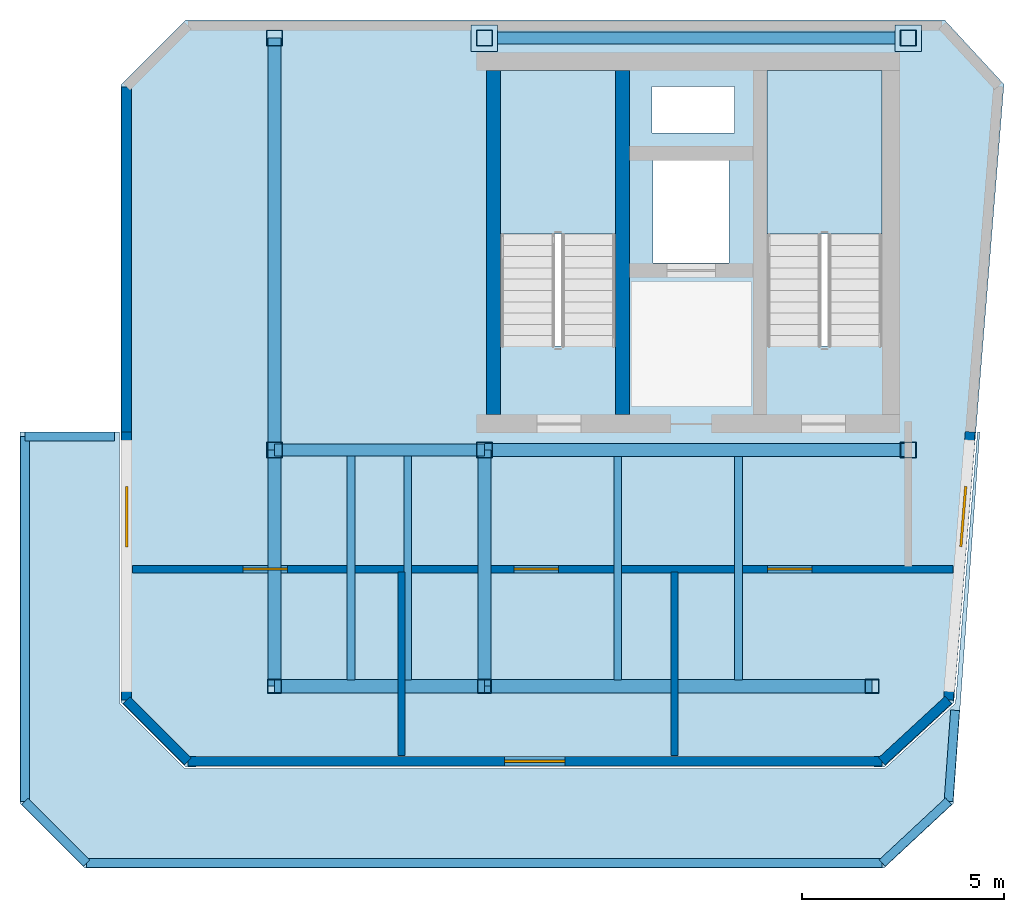
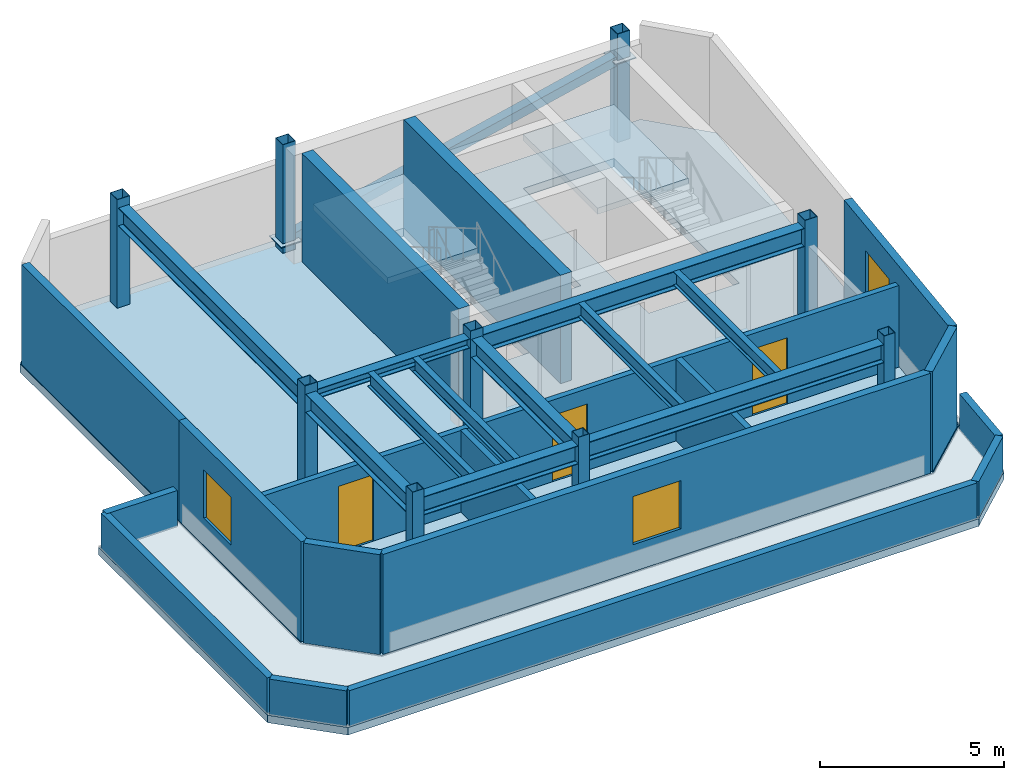
# One storey, part 1 of 3: 17 walls, 11 beams, 9 columns, 4 slabs, 3 doors, 3 windows, 2 plates, 1 member, 6 openings, 2 elements without a shape of their own.
"""IFC4 building model written with IfcOpenShell, lengths in metres."""

from ifc_helpers import new_model, si_unit, direction, frame, frame_2d, origin, origin_2d, place, context, subcontext, project, spatial, polyline, rectangle, hollow_rectangle, i_section, outline, extrude, material, layer, layer_set, material_profile, profile_set, type_object, element, fill, aggregate, save


model = new_model("IFC4")

# Units and contexts
model_context = context("Model", 3, precision=1e-05, world=origin(), true_north=direction((0.0, 1.0)))
body_context = subcontext(model_context, "Body", "Model", "MODEL_VIEW")
ifc_project = project(units=[si_unit("LENGTHUNIT", "METRE"), si_unit("AREAUNIT", "SQUARE_METRE"), si_unit("VOLUMEUNIT", "CUBIC_METRE"), si_unit("PLANEANGLEUNIT", "RADIAN"), si_unit("MASSUNIT", "GRAM", prefix="KILO")], contexts=[model_context])

# Site, building, storey
site_placement = place(None, origin())
site = spatial("IfcSite", under=ifc_project, at=site_placement, CompositionType="ELEMENT")
building_placement = place(site_placement, origin())
building = spatial("IfcBuilding", under=site, at=building_placement, Name="Kravanh Interchange Tower", CompositionType="ELEMENT")
storey_placement = place(building_placement, frame((0.0, 0.0, 322.800048828125)))
storey = spatial("IfcBuildingStorey", under=building, at=storey_placement, Name="L80", CompositionType="ELEMENT", Elevation=322.800048828125)

# Columns
ifc_material_1 = material(Name="Structural Steel S355", Category="steel")
ifc_material_profile_1 = material_profile(ifc_material_1, hollow_rectangle(XDim=0.35009765625, YDim=0.35009765625, WallThickness=0.01611328125, at=origin_2d()), Name="HSS350X350X16")
ifc_profile_set_1 = profile_set([ifc_material_profile_1], Name="Structural Steel S355")
column_type_1 = type_object("IfcColumnType", Name="Column HSS350X350X16 Structural Steel S355", PredefinedType="COLUMN", material=ifc_profile_set_1)
for number, where, z_axis, x_axis, name in (
    (1, (56.0, 31.5, 0.0), (0.0, 0.0, 1.0), (1.0, 0.0, 0.0), "L80 Column CC_F"),
    (2, (65.60009765625, 31.5, 0.0), (0.0, 0.0, 1.0), (1.0, 0.0, 0.0), "L80 Column CC_G"),
    (3, (50.800048828125, 31.5, 0.0), (0.0, 0.0, 1.0), (1.0, 0.0, 0.0), "L80 Column CC_I"),
):
    element("IfcColumn", number, at=place(storey_placement, frame(where, z_axis=z_axis, x_axis=x_axis)), inside=storey, type_object=column_type_1, Name=name, PredefinedType="COLUMN", context=body_context, shape_type="SweptSolid", body=[
        extrude(hollow_rectangle(XDim=0.35009765625, YDim=0.35009765625, WallThickness=0.01611328125, at=origin_2d()), origin(), (0.0, 0.0, 1.0), 3.599853515625),
    ])
ifc_material_2 = material(Name="Structural Steel S355", Category="steel")
ifc_material_profile_2 = material_profile(ifc_material_2, hollow_rectangle(XDim=0.39990234375, YDim=0.39990234375, WallThickness=0.01611328125, at=origin_2d()), Name="HSS400X400X16")
ifc_profile_set_2 = profile_set([ifc_material_profile_2], Name="Structural Steel S355")
column_type_2 = type_object("IfcColumnType", Name="Column HSS400X400X16 Structural Steel S355", PredefinedType="COLUMN", material=ifc_profile_set_2)
for number, where, z_axis, x_axis, name in (
    (4, (66.5, 47.550048828125, 0.0), (0.0, 0.0, 1.0), (1.0, 0.0, 0.0), "L80 Column CS01"),
    (5, (56.0, 47.550048828125, 0.0), (0.0, 0.0, 1.0), (1.0, 0.0, 0.0), "L80 Column CS02"),
    (6, (66.5, 37.35009765625, 0.0), (0.0, 0.0, 1.0), (1.0, 0.0, 0.0), "L80 Column CS03"),
    (7, (56.0, 37.35009765625, 0.0), (0.0, 0.0, 1.0), (1.0, 0.0, 0.0), "L80 Column CS04"),
    (8, (50.800048828125, 47.550048828125, 0.0), (0.0, 0.0, 1.0), (1.0, 0.0, 0.0), "L80 Column CS05"),
    (9, (50.800048828125, 37.35009765625, 0.0), (0.0, 0.0, 1.0), (1.0, 0.0, 0.0), "L80 Column CS06"),
):
    element("IfcColumn", number, at=place(storey_placement, frame(where, z_axis=z_axis, x_axis=x_axis)), inside=storey, type_object=column_type_2, Name=name, PredefinedType="COLUMN", context=body_context, shape_type="SweptSolid", body=[
        extrude(hollow_rectangle(XDim=0.39990234375, YDim=0.39990234375, WallThickness=0.01611328125, at=origin_2d()), origin(), (0.0, 0.0, 1.0), 3.599853515625),
    ])

# Beams
ifc_material_3 = material(Name="Structural Steel S355", Category="steel")
ifc_material_profile_3 = material_profile(ifc_material_3, i_section(OverallWidth=0.323974609375, OverallDepth=0.611083984375, WebThickness=0.0126953125, FlangeThickness=0.01904296875, FilletRadius=0.02197265625, at=origin_2d()), Name="W24X104")
ifc_profile_set_3 = profile_set([ifc_material_profile_3], Name="Structural Steel S355")
beam_type_1 = type_object("IfcBeamType", Name="Floor Beam W24X104 Structural Steel S355", PredefinedType="BEAM", material=ifc_profile_set_3)
beam_1_placement = place(storey_placement, frame((56.0, 31.5, 3.014404296875), z_axis=(-1.0, 0.0, 0.0), x_axis=(0.0, -1.0, 0.0)))
element("IfcBeam", 10, at=beam_1_placement, inside=storey, type_object=beam_type_1, Name="L80 Primary Floor Girder 1", PredefinedType="BEAM", context=body_context, shape_type="SweptSolid", body=[
    extrude(i_section(OverallWidth=0.323974609375, OverallDepth=0.611083984375, WebThickness=0.0126953125, FlangeThickness=0.01904296875, FilletRadius=0.02197265625, at=origin_2d()), origin(), (0.0, 0.0, 1.0), 5.199951171875),
])
beam_2_placement = place(storey_placement, frame((56.0, 31.5, 3.014404296875), z_axis=(0.0, 1.0, 0.0), x_axis=(-1.0, 0.0, 0.0)))
element("IfcBeam", 11, at=beam_2_placement, inside=storey, type_object=beam_type_1, Name="L80 Primary Floor Girder 2", PredefinedType="BEAM", context=body_context, shape_type="SweptSolid", body=[
    extrude(i_section(OverallWidth=0.323974609375, OverallDepth=0.611083984375, WebThickness=0.0126953125, FlangeThickness=0.01904296875, FilletRadius=0.02197265625, at=origin_2d()), origin(), (0.0, 0.0, 1.0), 5.85009765625),
])
beam_3_placement = place(storey_placement, frame((56.0, 31.5, 3.014404296875), z_axis=(1.0, 0.0, 0.0), x_axis=(0.0, 1.0, 0.0)))
element("IfcBeam", 12, at=beam_3_placement, inside=storey, type_object=beam_type_1, Name="L80 Primary Floor Girder 3", PredefinedType="BEAM", context=body_context, shape_type="SweptSolid", body=[
    extrude(i_section(OverallWidth=0.323974609375, OverallDepth=0.611083984375, WebThickness=0.0126953125, FlangeThickness=0.01904296875, FilletRadius=0.02197265625, at=origin_2d()), origin(), (0.0, 0.0, 1.0), 9.60009765625),
])
beam_4_placement = place(storey_placement, frame((50.800048828125, 31.5, 3.014404296875), z_axis=(0.0, 1.0, 0.0), x_axis=(-1.0, 0.0, 0.0)))
element("IfcBeam", 13, at=beam_4_placement, inside=storey, type_object=beam_type_1, Name="L80 Primary Floor Girder 4", PredefinedType="BEAM", context=body_context, shape_type="SweptSolid", body=[
    extrude(i_section(OverallWidth=0.323974609375, OverallDepth=0.611083984375, WebThickness=0.0126953125, FlangeThickness=0.01904296875, FilletRadius=0.02197265625, at=origin_2d()), origin(), (0.0, 0.0, 1.0), 5.85009765625),
])
beam_5_placement = place(storey_placement, frame((66.5, 37.35009765625, 3.014404296875), z_axis=(-1.0, 0.0, 0.0), x_axis=(0.0, -1.0, 0.0)))
element("IfcBeam", 14, at=beam_5_placement, inside=storey, type_object=beam_type_1, Name="L80 Primary Floor Girder 9", PredefinedType="BEAM", context=body_context, shape_type="SweptSolid", body=[
    extrude(i_section(OverallWidth=0.323974609375, OverallDepth=0.611083984375, WebThickness=0.0126953125, FlangeThickness=0.01904296875, FilletRadius=0.02197265625, at=origin_2d()), origin(), (0.0, 0.0, 1.0), 10.5),
])
beam_6_placement = place(storey_placement, frame((50.800048828125, 47.550048828125, 3.014404296875), z_axis=(0.0, -1.0, 0.0), x_axis=(1.0, 0.0, 0.0)))
element("IfcBeam", 15, at=beam_6_placement, inside=storey, type_object=beam_type_1, Name="L80 Primary Floor Girder 11", PredefinedType="BEAM", context=body_context, shape_type="SweptSolid", body=[
    extrude(i_section(OverallWidth=0.323974609375, OverallDepth=0.611083984375, WebThickness=0.0126953125, FlangeThickness=0.01904296875, FilletRadius=0.02197265625, at=origin_2d()), origin(), (0.0, 0.0, 1.0), 10.199951171875),
])
ifc_material_4 = material(Name="Structural Steel S355", Category="steel")
ifc_material_profile_4 = material_profile(ifc_material_4, i_section(OverallWidth=0.18994140625, OverallDepth=0.45703125, WebThickness=0.009033203125, FlangeThickness=0.014404296875, FilletRadius=0.01806640625, at=origin_2d()), Name="W18X50")
ifc_profile_set_4 = profile_set([ifc_material_profile_4], Name="Structural Steel S355")
beam_type_2 = type_object("IfcBeamType", Name="Floor Joist W18X50 Structural Steel S355", PredefinedType="JOIST", material=ifc_profile_set_4)
for number, where, z_axis, x_axis, name in (
    (16, (52.697998046875, 31.656982421875, 3.091552734375), (0.0, 1.0, 0.0), (-1.0, 0.0, 0.0), "L80 Secondary Floor Joist 1"),
    (17, (54.10205078125, 31.656982421875, 3.091552734375), (0.0, 1.0, 0.0), (-1.0, 0.0, 0.0), "L80 Secondary Floor Joist 2"),
):
    element("IfcBeam", number, at=place(storey_placement, frame(where, z_axis=z_axis, x_axis=x_axis)), inside=storey, type_object=beam_type_2, Name=name, PredefinedType="JOIST", context=body_context, shape_type="SweptSolid", body=[
        extrude(i_section(OverallWidth=0.18994140625, OverallDepth=0.45703125, WebThickness=0.009033203125, FlangeThickness=0.014404296875, FilletRadius=0.01806640625, at=origin_2d()), origin(), (0.0, 0.0, 1.0), 5.54541015625),
    ])
for number, where, z_axis, x_axis, name in (
    (18, (59.305908203125, 31.656982421875, 3.091552734375), (0.0, 1.0, 0.0), (-1.0, 0.0, 0.0), "L80 Secondary Floor Joist 3"),
    (19, (62.2939453125, 31.656982421875, 3.091552734375), (0.0, 1.0, 0.0), (-1.0, 0.0, 0.0), "L80 Secondary Floor Joist 4"),
):
    element("IfcBeam", number, at=place(storey_placement, frame(where, z_axis=z_axis, x_axis=x_axis)), inside=storey, type_object=beam_type_2, Name=name, PredefinedType="JOIST", context=body_context, shape_type="SweptSolid", body=[
        extrude(i_section(OverallWidth=0.18994140625, OverallDepth=0.45703125, WebThickness=0.009033203125, FlangeThickness=0.014404296875, FilletRadius=0.01806640625, at=origin_2d()), origin(), (0.0, 0.0, 1.0), 5.5361328125),
    ])
ifc_material_5 = material(Name="Structural Steel S355", Category="steel")
ifc_material_profile_5 = material_profile(ifc_material_5, i_section(OverallWidth=0.304931640625, OverallDepth=0.306884765625, WebThickness=0.010009765625, FlangeThickness=0.015380859375, FilletRadius=0.014892578125, at=origin_2d()), Name="W12X65")
ifc_profile_set_5 = profile_set([ifc_material_profile_5], Name="Structural Steel S355")
beam_type_3 = type_object("IfcBeamType", Name="Floor Lintel W12X65 Structural Steel S355", PredefinedType="LINTEL", material=ifc_profile_set_5)
beam_7_placement = place(storey_placement, frame((50.800048828125, 37.35009765625, 3.16650390625), z_axis=(1.0, 0.0, 0.0), x_axis=(0.0, 1.0, 0.0)))
element("IfcBeam", 20, at=beam_7_placement, inside=storey, type_object=beam_type_3, Name="L80 Core Coupling Lintel 1", PredefinedType="LINTEL", context=body_context, shape_type="SweptSolid", body=[
    extrude(i_section(OverallWidth=0.304931640625, OverallDepth=0.306884765625, WebThickness=0.010009765625, FlangeThickness=0.015380859375, FilletRadius=0.014892578125, at=origin_2d()), origin(), (0.0, 0.0, 1.0), 5.199951171875),
])

# Member
ifc_material_6 = material(Name="Structural Steel S355", Category="steel")
ifc_material_profile_6 = material_profile(ifc_material_6, hollow_rectangle(XDim=0.300048828125, YDim=0.300048828125, WallThickness=0.011962890625, at=origin_2d()), Name="HSS300X300X12")
ifc_profile_set_6 = profile_set([ifc_material_profile_6], Name="Structural Steel S355")
member_type = type_object("IfcMemberType", Name="Frame Brace HSS300X300X12 Structural Steel S355", PredefinedType="BRACE", material=ifc_profile_set_6)
member_placement = place(storey_placement, frame((56.0, 47.550048828125, 0.300048828125), z_axis=(0.974678011383, 0.0, 0.223613000798), x_axis=(0.0, 1.0, 0.0)))
element("IfcMember", 21, at=member_placement, inside=storey, type_object=member_type, Name="L80 Spine Frame Steel Brace 1", PredefinedType="BRACE", context=body_context, shape_type="SweptSolid", body=[
    extrude(hollow_rectangle(XDim=0.300048828125, YDim=0.300048828125, WallThickness=0.011962890625, at=origin_2d()), origin(), (0.0, 0.0, 1.0), 10.772705078125),
])

# Slab
ifc_material_7 = material(Name="Concrete C60/75", Category="concrete")
ifc_layer_1 = layer(ifc_material_7, 0.280029296875)
ifc_layer_set_1 = layer_set([ifc_layer_1], Name="Composite Floor Slab Concrete C60/75 280mm")
slab_type_1 = type_object("IfcSlabType", Name="Composite Floor Slab Concrete C60/75 280mm", PredefinedType="FLOOR", material=ifc_layer_set_1)
slab_1_placement = place(storey_placement, frame((0.0, 0.0, -0.280029296875)))
element("IfcSlab", 22, at=slab_1_placement, inside=storey, type_object=slab_type_1, Name="L80 Structural Floor Slab", PredefinedType="FLOOR", context=body_context, shape_type="SweptSolid", body=[
    extrude(outline(polyline([(47.0, 31.10009765625), (48.60009765625, 29.5), (65.89990234375, 29.5), (67.62939453125, 31.0947265625), (68.87060546875, 46.4052734375), (67.39990234375, 48.0), (48.60009765625, 48.0), (47.0, 46.39990234375), (47.0, 31.10009765625)]), holes=[polyline([(65.85009765625, 39.925048828125), (65.85009765625, 46.75), (63.0, 46.75), (63.0, 39.925048828125), (65.85009765625, 39.925048828125)]), polyline([(59.25, 39.925048828125), (59.25, 46.75), (56.39990234375, 46.75), (56.39990234375, 39.925048828125), (59.25, 39.925048828125)]), polyline([(60.179931640625, 41.97998046875), (62.06005859375, 41.97998046875), (62.06005859375, 44.52001953125), (60.179931640625, 44.52001953125), (60.179931640625, 41.97998046875)]), polyline([(60.14990234375, 45.199951171875), (62.199951171875, 45.199951171875), (62.199951171875, 46.35009765625), (60.14990234375, 46.35009765625), (60.14990234375, 45.199951171875)])]), origin(), (0.0, 0.0, 1.0), 0.280029296875),
])

# Stair, slab
ifc_material_8 = material(Name="Concrete C50/60", Category="concrete")
stair_type = type_object("IfcStairType", Name="Core Fire Exit Dogleg Stair Concrete C50/60", PredefinedType="HALF_TURN_STAIR", material=ifc_material_8)
stair_1_placement = place(storey_placement, origin())
stair_1 = element("IfcStair", 23, at=stair_1_placement, inside=storey, type_object=stair_type, Name="L80 Exit Stair ST1", PredefinedType="HALF_TURN_STAIR")
ifc_material_9 = material(Name="Concrete C50/60", Category="concrete")
ifc_layer_2 = layer(ifc_material_9, 0.199951171875)
ifc_layer_set_2 = layer_set([ifc_layer_2], Name="Concrete C50/60 Stair Half-Landing Slab 200mm")
slab_type_2 = type_object("IfcSlabType", Name="Concrete C50/60 Stair Half-Landing Slab 200mm", PredefinedType="LANDING", material=ifc_layer_set_2)
slab_2_placement = place(storey_placement, frame((0.0, 0.0, 1.599853515625)))
slab_2 = element("IfcSlab", 24, at=slab_2_placement, type_object=slab_type_2, Name="ST1 landing 1", PredefinedType="LANDING", context=body_context, shape_type="SweptSolid", body=[
    extrude(outline(polyline([(65.85009765625, 42.699951171875), (65.85009765625, 46.75), (63.0, 46.75), (63.0, 42.699951171875), (65.85009765625, 42.699951171875)])), origin(), (0.0, 0.0, 1.0), 0.2001953125),
])
aggregate(stair_1, [slab_2])

stair_2_placement = place(storey_placement, origin())
stair_2 = element("IfcStair", 25, at=stair_2_placement, inside=storey, type_object=stair_type, Name="L80 Exit Stair ST2", PredefinedType="HALF_TURN_STAIR")
slab_3_placement = place(storey_placement, frame((0.0, 0.0, 1.599853515625)))
slab_3 = element("IfcSlab", 26, at=slab_3_placement, type_object=slab_type_2, Name="ST2 landing 1", PredefinedType="LANDING", context=body_context, shape_type="SweptSolid", body=[
    extrude(outline(polyline([(59.25, 42.699951171875), (59.25, 46.75), (56.39990234375, 46.75), (56.39990234375, 42.699951171875), (59.25, 42.699951171875)])), origin(), (0.0, 0.0, 1.0), 0.2001953125),
])
aggregate(stair_2, [slab_3])

# Plates
ifc_material_10 = material(Name="Structural Steel S450", Category="steel")
ifc_layer_3 = layer(ifc_material_10, 0.031982421875)
ifc_layer_set_3 = layer_set([ifc_layer_3], Name="Flange Continuity Node Plate 650x650x32 S450")
plate_type = type_object("IfcPlateType", Name="Flange Continuity Node Plate 650x650x32 S450", PredefinedType="SHEET", material=ifc_layer_set_3)
for number, where, z_axis, x_axis, name in (
    (27, (56.0, 47.550048828125, 0.2841796875), (0.0, 0.0, 1.0), (1.0, 0.0, 0.0), "L80 Spine Brace Lower Gusset Plate"),
    (28, (66.5, 47.550048828125, 2.69287109375), (0.0, 0.0, 1.0), (1.0, 0.0, 0.0), "L80 Spine Brace Upper Gusset Plate"),
):
    element("IfcPlate", number, at=place(storey_placement, frame(where, z_axis=z_axis, x_axis=x_axis)), inside=storey, type_object=plate_type, Name=name, PredefinedType="SHEET", context=body_context, shape_type="SweptSolid", body=[
        extrude(rectangle(XDim=0.64990234375, YDim=0.64990234375, at=origin_2d()), origin(), (0.0, 0.0, 1.0), 0.031982421875),
    ])

# Slab
ifc_material_11 = material(Name="Concrete C50/60", Category="concrete")
ifc_layer_4 = layer(ifc_material_11, 0.25)
ifc_layer_set_4 = layer_set([ifc_layer_4], Name="Insulated Terrace Roof Slab Concrete C50/60 250mm")
slab_type_3 = type_object("IfcSlabType", Name="Insulated Terrace Roof Slab Concrete C50/60 250mm", PredefinedType="ROOF", material=ifc_layer_set_4)
slab_4_placement = place(storey_placement, frame((0.0, 0.0, -0.25)))
element("IfcSlab", 29, at=slab_4_placement, inside=storey, type_object=slab_type_3, Name="L80 Maintenance Skylight Roof 1", PredefinedType="ROOF", context=body_context, shape_type="SweptSolid", body=[
    extrude(outline(polyline([(65.89990234375, 27.0), (46.10009765625, 27.0), (44.5, 28.60009765625), (44.5, 37.800048828125), (46.9599609375, 37.800048828125), (46.9599609375, 31.08349609375), (48.58349609375, 29.4599609375), (65.91552734375, 29.4599609375), (67.66796875, 31.075927734375), (68.213134765625, 37.800048828125), (68.271484375, 37.800048828125), (67.614013671875, 28.595947265625), (65.89990234375, 27.0)])), origin(), (0.0, 0.0, 1.0), 0.25),
])

# Walls
ifc_material_12 = material(Name="Concrete C60/75", Category="concrete")
ifc_layer_5 = layer(ifc_material_12, 0.35009765625)
ifc_layer_set_5 = layer_set([ifc_layer_5], Name="Core Shear Wall Concrete C60/75 350mm")
wall_type_1 = type_object("IfcWallType", Name="Core Shear Wall Concrete C60/75 350mm", PredefinedType="SHEAR", material=ifc_layer_set_5)
for number, where, z_axis, x_axis, name in (
    (30, (59.425048828125, 38.22509765625, 0.0), (0.0, 0.0, 1.0), (0.0, 1.0, 0.0), "L80 Stair ST2 East Shear Wall"),
    (31, (56.22509765625, 38.22509765625, 0.0), (0.0, 0.0, 1.0), (0.0, 1.0, 0.0), "L80 Stair ST2 West Shear Wall"),
):
    element("IfcWall", number, at=place(storey_placement, frame(where, z_axis=z_axis, x_axis=x_axis)), inside=storey, type_object=wall_type_1, Name=name, PredefinedType="SHEAR", context=body_context, shape_type="SweptSolid", body=[
        extrude(rectangle(XDim=8.52490234375, YDim=0.35009765625, at=frame_2d((4.262451171875, 0.0))), origin(), (0.0, 0.0, 1.0), 3.599853515625),
    ])

# Wall, opening, window
ifc_material_13 = material(Name="Insulated Concrete C40/50 with Bronze Rainscreen", Category="concrete")
ifc_layer_6 = layer(ifc_material_13, 0.239990234375)
ifc_layer_set_6 = layer_set([ifc_layer_6], Name="Exterior Insulated Concrete C40/50 Crown Enclosure Wall 240mm")
wall_type_2 = type_object("IfcWallType", Name="Exterior Insulated Concrete C40/50 Crown Enclosure Wall 240mm", PredefinedType="STANDARD", material=ifc_layer_set_6)
wall_1_placement = place(storey_placement, frame((47.139892578125, 31.157958984375, 0.0), z_axis=(0.0, 0.0, 1.0), x_axis=(0.0, 1.0, 0.0)))
wall_1 = element("IfcWall", 32, at=wall_1_placement, inside=storey, type_object=wall_type_2, Name="L80 Exterior Enclosure Wall 1", PredefinedType="STANDARD", context=body_context, shape_type="SweptSolid", body=[
    extrude(rectangle(XDim=6.64208984375, YDim=0.239990234375, at=frame_2d((3.321044921875, 0.0))), origin(), (0.0, 0.0, 1.0), 3.320068359375),
])
opening_1_placement = place(wall_1_placement, frame((3.79248046875, 0.0, 0.89990234375)))
opening_1 = element("IfcOpeningElement", 33, at=opening_1_placement, cuts=wall_1, Name="Opening WN-150X160", PredefinedType="OPENING", context=body_context, shape_type="SweptSolid", body=[
    extrude(rectangle(XDim=1.5, YDim=1.60009765625, at=frame_2d((0.75, 0.800048828125))), frame((0.0, 0.1298828125, 0.0), z_axis=(0.0, -1.0, 0.0), x_axis=(1.0, 0.0, 0.0)), (0.0, 0.0, 1.0), 0.260009765625),
])
ifc_material_14 = material(Name="Thermally Broken Bronze Aluminium and Low-E Glass", Category="aluminium")
window_type = type_object("IfcWindowType", Name="Crown Clerestory Window 1500x1600", PartitioningType="SINGLE_PANEL", PredefinedType="WINDOW", material=ifc_material_14)
window_1_placement = place(opening_1_placement, origin())
window_1 = element("IfcWindow", 34, at=window_1_placement, inside=storey, type_object=window_type, Name="L80 Crown Clerestory Window 1", OverallHeight=1.60009765625, OverallWidth=1.5, PartitioningType="SINGLE_PANEL", PredefinedType="WINDOW", context=body_context, shape_type="SweptSolid", body=[
    extrude(rectangle(XDim=1.5, YDim=1.60009765625, at=frame_2d((0.75, 0.800048828125))), frame((0.0, 0.030029296875, 0.0), z_axis=(0.0, -1.0, 0.0), x_axis=(1.0, 0.0, 0.0)), (0.0, 0.0, 1.0), 0.06005859375),
])
fill(opening_1, window_1)

# Wall
wall_2_placement = place(storey_placement, frame((47.139892578125, 37.800048828125, 0.0), z_axis=(0.0, 0.0, 1.0), x_axis=(0.0, 1.0, 0.0)))
element("IfcWall", 35, at=wall_2_placement, inside=storey, type_object=wall_type_2, Name="L80 Exterior Enclosure Wall 2", PredefinedType="STANDARD", context=body_context, shape_type="SweptSolid", body=[
    extrude(rectangle(XDim=8.5419921875, YDim=0.239990234375, at=frame_2d((4.27099609375, 0.0))), origin(), (0.0, 0.0, 1.0), 3.320068359375),
])

# Wall, opening, window
wall_3_placement = place(storey_placement, frame((68.032470703125, 37.800048828125, 0.0), z_axis=(0.0, 0.0, 1.0), x_axis=(-0.080815868766, -0.996729048115, 0.0)))
wall_3 = element("IfcWall", 36, at=wall_3_placement, inside=storey, type_object=wall_type_2, Name="L80 Exterior Enclosure Wall 7", PredefinedType="STANDARD", context=body_context, shape_type="SweptSolid", body=[
    extrude(rectangle(XDim=6.6611328125, YDim=0.239990234375, at=frame_2d((3.33056640625, 0.0))), origin(), (0.0, 0.0, 1.0), 3.320068359375),
])
opening_2_placement = place(wall_3_placement, frame((1.35400390625, 0.0, 0.89990234375)))
opening_2 = element("IfcOpeningElement", 37, at=opening_2_placement, cuts=wall_3, Name="Opening WN-150X160", PredefinedType="OPENING", context=body_context, shape_type="SweptSolid", body=[
    extrude(rectangle(XDim=1.5, YDim=1.60009765625, at=frame_2d((0.75, 0.800048828125))), frame((0.0, 0.1298828125, 0.0), z_axis=(0.0, -1.0, 0.0), x_axis=(1.0, 0.0, 0.0)), (0.0, 0.0, 1.0), 0.260009765625),
])
window_2_placement = place(opening_2_placement, origin())
window_2 = element("IfcWindow", 38, at=window_2_placement, inside=storey, type_object=window_type, Name="L80 Crown Clerestory Window 7", OverallHeight=1.60009765625, OverallWidth=1.5, PartitioningType="SINGLE_PANEL", PredefinedType="WINDOW", context=body_context, shape_type="SweptSolid", body=[
    extrude(rectangle(XDim=1.5, YDim=1.60009765625, at=frame_2d((0.75, 0.800048828125))), frame((0.0, 0.030029296875, 0.0), z_axis=(0.0, -1.0, 0.0), x_axis=(1.0, 0.0, 0.0)), (0.0, 0.0, 1.0), 0.06005859375),
])
fill(opening_2, window_2)

# Wall
wall_4_placement = place(storey_placement, frame((67.494140625, 31.16064453125, 0.0), z_axis=(0.0, 0.0, 1.0), x_axis=(-0.735099639576, -0.677959084234, 0.0)))
element("IfcWall", 39, at=wall_4_placement, inside=storey, type_object=wall_type_2, Name="L80 Exterior Enclosure Wall 8", PredefinedType="STANDARD", context=body_context, shape_type="SweptSolid", body=[
    extrude(rectangle(XDim=2.2431640625, YDim=0.239990234375, at=frame_2d((1.12158203125, 0.0))), origin(), (0.0, 0.0, 1.0), 3.320068359375),
])

# Wall, opening, window
wall_5_placement = place(storey_placement, frame((65.84521484375, 29.639892578125, 0.0), z_axis=(0.0, 0.0, 1.0), x_axis=(-1.0, 0.0, 0.0)))
wall_5 = element("IfcWall", 40, at=wall_5_placement, inside=storey, type_object=wall_type_2, Name="L80 Exterior Enclosure Wall 9", PredefinedType="STANDARD", context=body_context, shape_type="SweptSolid", body=[
    extrude(rectangle(XDim=17.187255859375, YDim=0.239990234375, at=frame_2d((8.59375, 0.0))), origin(), (0.0, 0.0, 1.0), 3.320068359375),
])
opening_3_placement = place(wall_5_placement, frame((7.84375, 0.0, 0.89990234375)))
opening_3 = element("IfcOpeningElement", 41, at=opening_3_placement, cuts=wall_5, Name="Opening WN-150X160", PredefinedType="OPENING", context=body_context, shape_type="SweptSolid", body=[
    extrude(rectangle(XDim=1.5, YDim=1.60009765625, at=frame_2d((0.75, 0.800048828125))), frame((0.0, 0.1298828125, 0.0), z_axis=(0.0, -1.0, 0.0), x_axis=(1.0, 0.0, 0.0)), (0.0, 0.0, 1.0), 0.260009765625),
])
window_3_placement = place(opening_3_placement, origin())
window_3 = element("IfcWindow", 42, at=window_3_placement, inside=storey, type_object=window_type, Name="L80 Crown Clerestory Window 9", OverallHeight=1.60009765625, OverallWidth=1.5, PartitioningType="SINGLE_PANEL", PredefinedType="WINDOW", context=body_context, shape_type="SweptSolid", body=[
    extrude(rectangle(XDim=1.5, YDim=1.60009765625, at=frame_2d((0.75, 0.800048828125))), frame((0.0, 0.030029296875, 0.0), z_axis=(0.0, -1.0, 0.0), x_axis=(1.0, 0.0, 0.0)), (0.0, 0.0, 1.0), 0.06005859375),
])
fill(opening_3, window_3)

# Wall
wall_6_placement = place(storey_placement, frame((48.657958984375, 29.639892578125, 0.0), z_axis=(0.0, 0.0, 1.0), x_axis=(-0.707106781187, 0.707106781187, 0.0)))
element("IfcWall", 43, at=wall_6_placement, inside=storey, type_object=wall_type_2, Name="L80 Exterior Enclosure Wall 10", PredefinedType="STANDARD", context=body_context, shape_type="SweptSolid", body=[
    extrude(rectangle(XDim=2.14697265625, YDim=0.239990234375, at=frame_2d((1.073486328125, 0.0))), origin(), (0.0, 0.0, 1.0), 3.320068359375),
])

# Wall, openings, doors
ifc_material_15 = material(Name="Autoclaved Aerated Concrete C30/37 Blockwork", Category="masonry")
ifc_layer_7 = layer(ifc_material_15, 0.179931640625)
ifc_layer_set_7 = layer_set([ifc_layer_7], Name="Fire-Rated Lobby and Corridor Wall Concrete C30/37 180mm")
wall_type_3 = type_object("IfcWallType", Name="Fire-Rated Lobby and Corridor Wall Concrete C30/37 180mm", PredefinedType="STANDARD", material=ifc_layer_set_7)
wall_7_placement = place(storey_placement, frame((47.284912109375, 34.39990234375, 0.0), z_axis=(0.0, 0.0, 1.0), x_axis=(1.0, 0.0, 0.0)))
wall_7 = element("IfcWall", 44, at=wall_7_placement, inside=storey, type_object=wall_type_3, Name="L80 Interior Partition 1", PredefinedType="STANDARD", context=body_context, shape_type="SweptSolid", body=[
    extrude(rectangle(XDim=20.326416015625, YDim=0.179931640625, at=frame_2d((10.1630859375, 0.0))), origin(), (0.0, 0.0, 1.0), 2.708984375),
])
opening_4_placement = place(wall_7_placement, frame((2.735107421875, 0.0, 0.0)))
opening_4 = element("IfcOpeningElement", 45, at=opening_4_placement, cuts=wall_7, Name="Opening D-STAIR-110", PredefinedType="OPENING", context=body_context, shape_type="SweptSolid", body=[
    extrude(rectangle(XDim=1.10009765625, YDim=2.199951171875, at=frame_2d((0.550048828125, 1.10009765625))), frame((0.0, 0.10009765625, 0.0), z_axis=(0.0, -1.0, 0.0), x_axis=(1.0, 0.0, 0.0)), (0.0, 0.0, 1.0), 0.199951171875),
])
opening_5_placement = place(wall_7_placement, frame((9.454345703125, 0.0, 0.0)))
opening_5 = element("IfcOpeningElement", 46, at=opening_5_placement, cuts=wall_7, Name="Opening D-STAIR-110", PredefinedType="OPENING", context=body_context, shape_type="SweptSolid", body=[
    extrude(rectangle(XDim=1.10009765625, YDim=2.199951171875, at=frame_2d((0.550048828125, 1.10009765625))), frame((0.0, 0.10009765625, 0.0), z_axis=(0.0, -1.0, 0.0), x_axis=(1.0, 0.0, 0.0)), (0.0, 0.0, 1.0), 0.199951171875),
])
opening_6_placement = place(wall_7_placement, frame((15.729248046875, 0.0, 0.0)))
opening_6 = element("IfcOpeningElement", 47, at=opening_6_placement, cuts=wall_7, Name="Opening D-STAIR-110", PredefinedType="OPENING", context=body_context, shape_type="SweptSolid", body=[
    extrude(rectangle(XDim=1.10009765625, YDim=2.199951171875, at=frame_2d((0.550048828125, 1.10009765625))), frame((0.0, 0.10009765625, 0.0), z_axis=(0.0, -1.0, 0.0), x_axis=(1.0, 0.0, 0.0)), (0.0, 0.0, 1.0), 0.199951171875),
])
ifc_material_16 = material(Name="Structural Steel S355", Category="steel")
door_type = type_object("IfcDoorType", Name="Fire-Rated Exit Stair Door 1100x2200", OperationType="NOTDEFINED", PredefinedType="DOOR", material=ifc_material_16)
door_1_placement = place(opening_4_placement, origin())
door_1 = element("IfcDoor", 48, at=door_1_placement, inside=storey, type_object=door_type, Name="L80 Plant Room 1 Door", OperationType="SINGLE_SWING_RIGHT", OverallHeight=2.199951171875, OverallWidth=1.10009765625, PredefinedType="DOOR", context=body_context, shape_type="SweptSolid", body=[
    extrude(rectangle(XDim=1.10009765625, YDim=2.199951171875, at=frame_2d((0.550048828125, 1.10009765625))), frame((0.0, 0.02490234375, 0.0), z_axis=(0.0, -1.0, 0.0), x_axis=(1.0, 0.0, 0.0)), (0.0, 0.0, 1.0), 0.050048828125),
])
fill(opening_4, door_1)
door_2_placement = place(opening_5_placement, origin())
door_2 = element("IfcDoor", 49, at=door_2_placement, inside=storey, type_object=door_type, Name="L80 Plant Room 2 Door", OperationType="SINGLE_SWING_LEFT", OverallHeight=2.199951171875, OverallWidth=1.10009765625, PredefinedType="DOOR", context=body_context, shape_type="SweptSolid", body=[
    extrude(rectangle(XDim=1.10009765625, YDim=2.199951171875, at=frame_2d((0.550048828125, 1.10009765625))), frame((0.0, 0.02490234375, 0.0), z_axis=(0.0, -1.0, 0.0), x_axis=(1.0, 0.0, 0.0)), (0.0, 0.0, 1.0), 0.050048828125),
])
fill(opening_5, door_2)
door_3_placement = place(opening_6_placement, origin())
door_3 = element("IfcDoor", 50, at=door_3_placement, inside=storey, type_object=door_type, Name="L80 Plant Room 3 Door", OperationType="SINGLE_SWING_RIGHT", OverallHeight=2.199951171875, OverallWidth=1.10009765625, PredefinedType="DOOR", context=body_context, shape_type="SweptSolid", body=[
    extrude(rectangle(XDim=1.10009765625, YDim=2.199951171875, at=frame_2d((0.550048828125, 1.10009765625))), frame((0.0, 0.02490234375, 0.0), z_axis=(0.0, -1.0, 0.0), x_axis=(1.0, 0.0, 0.0)), (0.0, 0.0, 1.0), 0.050048828125),
])
fill(opening_6, door_3)

# Walls
for number, where, z_axis, x_axis, name in (
    (51, (53.949951171875, 29.784912109375, 0.0), (0.0, 0.0, 1.0), (0.0, 1.0, 0.0), "L80 Interior Partition 3"),
    (52, (60.7099609375, 29.784912109375, 0.0), (0.0, 0.0, 1.0), (0.0, 1.0, 0.0), "L80 Interior Partition 4"),
):
    element("IfcWall", number, at=place(storey_placement, frame(where, z_axis=z_axis, x_axis=x_axis)), inside=storey, type_object=wall_type_3, Name=name, PredefinedType="STANDARD", context=body_context, shape_type="SweptSolid", body=[
        extrude(rectangle(XDim=4.547119140625, YDim=0.179931640625, at=frame_2d((2.2734375, 0.0))), origin(), (0.0, 0.0, 1.0), 2.708984375),
    ])
ifc_material_17 = material(Name="Concrete C40/50", Category="concrete")
ifc_layer_8 = layer(ifc_material_17, 0.219970703125)
ifc_layer_set_8 = layer_set([ifc_layer_8], Name="Roof Parapet Upstand Wall Concrete C40/50 220mm")
wall_type_4 = type_object("IfcWallType", Name="Roof Parapet Upstand Wall Concrete C40/50 220mm", PredefinedType="PARAPET", material=ifc_layer_set_8)
wall_8_placement = place(storey_placement, frame((65.852783203125, 27.1201171875, 0.0), z_axis=(0.0, 0.0, 1.0), x_axis=(-1.0, 0.0, 0.0)))
element("IfcWall", 53, at=wall_8_placement, inside=storey, type_object=wall_type_4, Name="L80 Stepped Roof Parapet 1-1", PredefinedType="PARAPET", context=body_context, shape_type="SweptSolid", body=[
    extrude(rectangle(XDim=19.703125, YDim=0.219970703125, at=frame_2d((9.8515625, 0.0))), origin(), (0.0, 0.0, 1.0), 1.199951171875),
])
wall_9_placement = place(storey_placement, frame((46.149658203125, 27.1201171875, 0.0), z_axis=(0.0, 0.0, 1.0), x_axis=(-0.707106781187, 0.707106781187, 0.0)))
element("IfcWall", 54, at=wall_9_placement, inside=storey, type_object=wall_type_4, Name="L80 Stepped Roof Parapet 1-2", PredefinedType="PARAPET", context=body_context, shape_type="SweptSolid", body=[
    extrude(rectangle(XDim=2.1630859375, YDim=0.219970703125, at=frame_2d((1.08154296875, 0.0))), origin(), (0.0, 0.0, 1.0), 1.199951171875),
])
wall_10_placement = place(storey_placement, frame((44.6201171875, 28.649658203125, 0.0), z_axis=(0.0, 0.0, 1.0), x_axis=(0.0, 1.0, 0.0)))
element("IfcWall", 55, at=wall_10_placement, inside=storey, type_object=wall_type_4, Name="L80 Stepped Roof Parapet 1-3", PredefinedType="PARAPET", context=body_context, shape_type="SweptSolid", body=[
    extrude(rectangle(XDim=9.0302734375, YDim=0.219970703125, at=frame_2d((4.51513671875, 0.0))), origin(), (0.0, 0.0, 1.0), 1.199951171875),
])
wall_11_placement = place(storey_placement, frame((44.6201171875, 37.679931640625, 0.0), z_axis=(0.0, 0.0, 1.0), x_axis=(1.0, 0.0, 0.0)))
element("IfcWall", 56, at=wall_11_placement, inside=storey, type_object=wall_type_4, Name="L80 Stepped Roof Parapet 1-4", PredefinedType="PARAPET", context=body_context, shape_type="SweptSolid", body=[
    extrude(rectangle(XDim=2.219970703125, YDim=0.219970703125, at=frame_2d((1.10986328125, 0.0))), origin(), (0.0, 0.0, 1.0), 1.199951171875),
])
wall_12_placement = place(storey_placement, frame((67.65869140625, 30.904052734375, 0.0), z_axis=(0.0, 0.0, 1.0), x_axis=(-0.071247049988, -0.997458699831, 0.0)))
element("IfcWall", 57, at=wall_12_placement, inside=storey, type_object=wall_type_4, Name="L80 Stepped Roof Parapet 1-9", PredefinedType="PARAPET", context=body_context, shape_type="SweptSolid", body=[
    extrude(rectangle(XDim=2.25830078125, YDim=0.219970703125, at=frame_2d((1.129150390625, 0.0))), origin(), (0.0, 0.0, 1.0), 1.199951171875),
])
wall_13_placement = place(storey_placement, frame((67.497802734375, 28.651611328125, 0.0), z_axis=(0.0, 0.0, 1.0), x_axis=(-0.731910786765, -0.68140046978, 0.0)))
element("IfcWall", 58, at=wall_13_placement, inside=storey, type_object=wall_type_4, Name="L80 Stepped Roof Parapet 1-10", PredefinedType="PARAPET", context=body_context, shape_type="SweptSolid", body=[
    extrude(rectangle(XDim=2.24755859375, YDim=0.219970703125, at=frame_2d((1.123779296875, 0.0))), origin(), (0.0, 0.0, 1.0), 1.199951171875),
])

save(model, "model.ifc")
